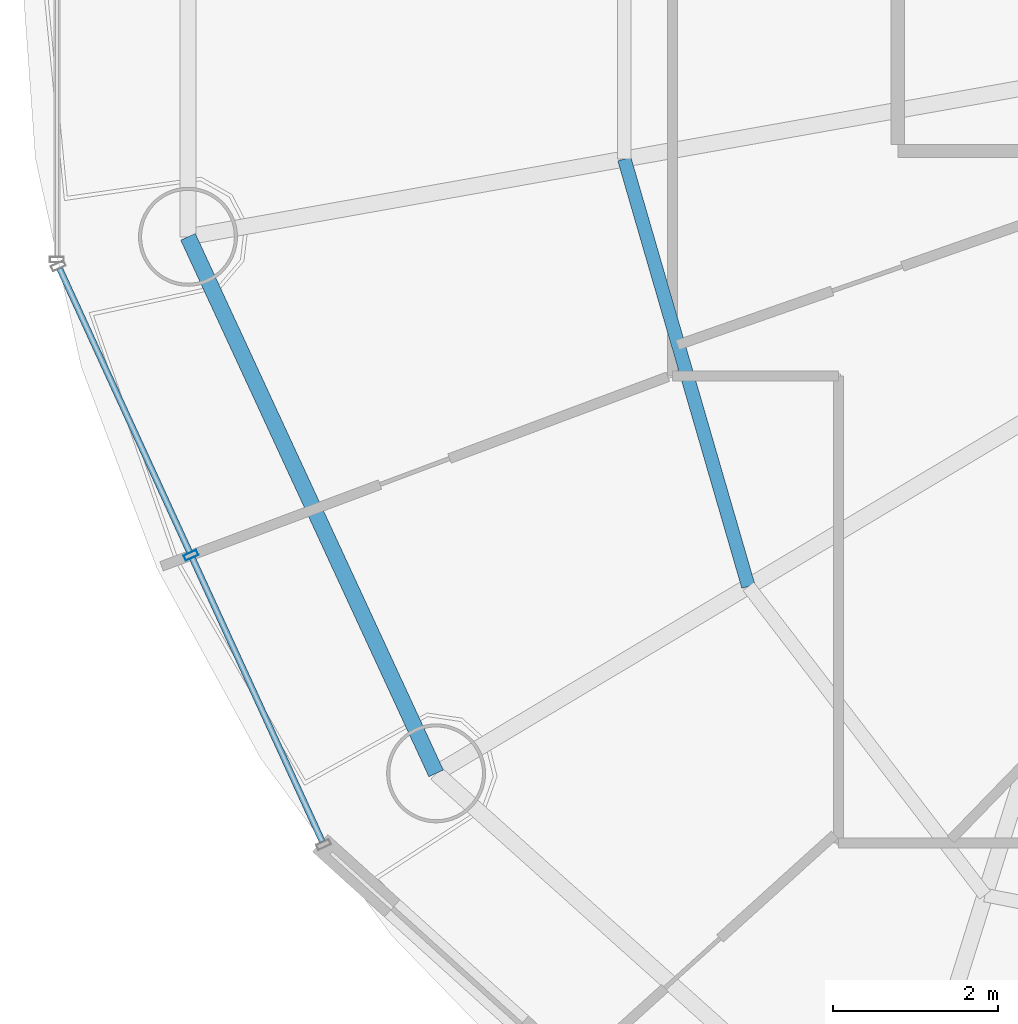
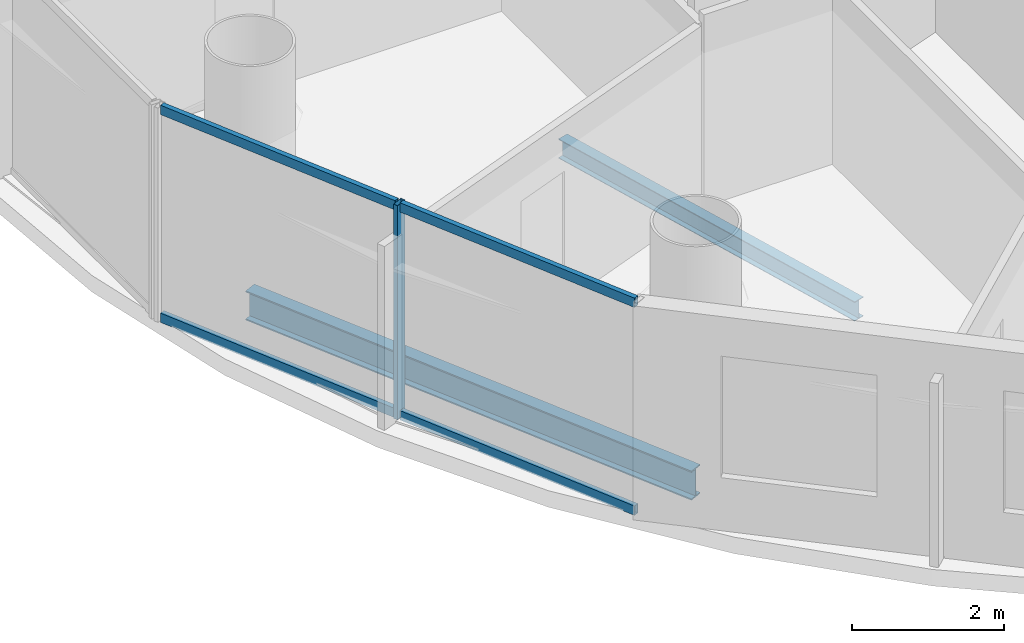
# One storey, part 3 of 26: 5 members, 2 beams, 1 element without a shape of its own.
"""IFC4 building model written with IfcOpenShell, lengths in metres."""

from ifc_helpers import new_model, si_unit, direction, frame, origin, origin_2d, place, context, subcontext, project, spatial, hollow_rectangle, i_section, extrude, source, transform, mapped, material, material_profile, profile_set, type_object, element, aggregate, save


model = new_model("IFC4")

# Units and contexts
model_context = context("Model", 3, precision=1e-05, world=origin(), true_north=direction((-0.2419218956, 0.970295726276)))
body_context = subcontext(model_context, "Body", "Model", "MODEL_VIEW")
ifc_project = project(units=[si_unit("LENGTHUNIT", "METRE"), si_unit("AREAUNIT", "SQUARE_METRE"), si_unit("VOLUMEUNIT", "CUBIC_METRE"), si_unit("PLANEANGLEUNIT", "RADIAN"), si_unit("MASSUNIT", "GRAM", prefix="KILO")], contexts=[model_context])

# Site, building, storey
site_placement = place(None, origin())
site = spatial("IfcSite", under=ifc_project, at=site_placement, CompositionType="ELEMENT")
building_placement = place(site_placement, origin())
building = spatial("IfcBuilding", under=site, at=building_placement, Name="Cobrevalo Terracotta Tower", CompositionType="ELEMENT")
storey_placement = place(building_placement, frame((0.0, 0.0, 228.199951171875)))
storey = spatial("IfcBuildingStorey", under=building, at=storey_placement, Name="L60", CompositionType="ELEMENT", Elevation=228.199951171875)

# Beams
ifc_material_1 = material(Name="Steel S355", Category="steel")
ifc_material_profile_1 = material_profile(ifc_material_1, i_section(OverallWidth=0.1650390625, OverallDepth=0.31005859375, WebThickness=0.005859375, FlangeThickness=0.009765625, at=origin_2d()), Name="W 310x38.7")
ifc_profile_set_1 = profile_set([ifc_material_profile_1], Name="Steel S355")
beam_type_1 = type_object("IfcBeamType", Name="Structural Joist W 310x38.7 (Steel S355)", PredefinedType="JOIST", material=ifc_profile_set_1)
beam_1_placement = place(storey_placement, frame((23.528564453125, 24.221435546875, -0.419921875), z_axis=(0.278757705995, -0.960361463902, 0.0), x_axis=(0.960361463902, 0.278757705995, 0.0)))
element("IfcBeam", 1, at=beam_1_placement, inside=storey, type_object=beam_type_1, Name="L60 circumferential secondary floor joist 09", PredefinedType="JOIST", context=body_context, shape_type="SweptSolid", body=[
    extrude(i_section(OverallWidth=0.1650390625, OverallDepth=0.31005859375, WebThickness=0.005859375, FlangeThickness=0.009765625, at=origin_2d()), origin(), (0.0, 0.0, 1.0), 5.396728515625),
])
ifc_material_profile_2 = material_profile(ifc_material_1, i_section(OverallWidth=0.194091796875, OverallDepth=0.468994140625, WebThickness=0.011474609375, FlangeThickness=0.0205078125, at=origin_2d()), Name="W 460x106")
ifc_profile_set_2 = profile_set([ifc_material_profile_2], Name="Steel S355")
beam_type_2 = type_object("IfcBeamType", Name="Structural Spandrel W 460x106 (Steel S355)", PredefinedType="SPANDREL", material=ifc_profile_set_2)
beam_2_placement = place(storey_placement, frame((18.237060546875, 23.278564453125, -0.49951171875), z_axis=(0.419718939129, -0.90765412583, 0.0), x_axis=(0.90765412583, 0.419718939129, 0.0)))
element("IfcBeam", 2, at=beam_2_placement, inside=storey, type_object=beam_type_2, Name="L60 perimeter ring spandrel 09", PredefinedType="SPANDREL", context=body_context, shape_type="SweptSolid", body=[
    extrude(i_section(OverallWidth=0.194091796875, OverallDepth=0.468994140625, WebThickness=0.011474609375, FlangeThickness=0.0205078125, at=origin_2d()), origin(), (0.0, 0.0, 1.0), 7.168701171875),
])

# Curtain wall, members
ifc_material_2 = material(Name="Anodized aluminium", Category="aluminium")
curtain_wall_type = type_object("IfcCurtainWallType", Name="Mid-tower high-wind unitised curtain wall CW-U2", PredefinedType="NOTDEFINED", material=ifc_material_2)
curtain_wall_placement = place(storey_placement, origin())
curtain_wall = element("IfcCurtainWall", 3, at=curtain_wall_placement, inside=storey, type_object=curtain_wall_type, Name="L60 curtain wall CW-L60-S09", PredefinedType="NOTDEFINED")
ifc_material_profile_3 = material_profile(ifc_material_2, hollow_rectangle(XDim=0.074951171875, YDim=0.14990234375, WallThickness=0.00439453125, at=origin_2d()), Name="CWT 75x150")
ifc_profile_set_3 = profile_set([ifc_material_profile_3], Name="Anodized aluminium")
member_type_1 = type_object("IfcMemberType", Name="Tower unitised aluminium transom 75x150", PredefinedType="USERDEFINED", material=ifc_profile_set_3)
shared_shape_1 = source(origin(), body_context, "Body", "SweptSolid", [
    extrude(hollow_rectangle(XDim=0.074951171875, YDim=0.14990234375, WallThickness=0.00439453125, at=origin_2d()), origin(), (0.0, 0.0, 1.0), 3.780029296875),
])
member_1_placement = place(storey_placement, frame((16.681640625, 22.889892578125, 0.050048828125), z_axis=(0.416705859352, -0.909041377926, 0.0), x_axis=(0.909041377926, 0.416705859352, 0.0)))
member_1 = element("IfcMember", 4, at=member_1_placement, type_object=member_type_1, Name="CW-L60-S09 transom B01-T1", ObjectType="TRANSOM", PredefinedType="USERDEFINED", context=body_context, shape_type="MappedRepresentation", body=[
    mapped(shared_shape_1, transform((0.0, 0.0, 0.0), scale=1.0)),
])
member_2_placement = place(storey_placement, frame((16.681640625, 22.889892578125, 3.385009765625), z_axis=(0.416705859352, -0.909041377926, 0.0), x_axis=(0.909041377926, 0.416705859352, 0.0)))
member_2 = element("IfcMember", 5, at=member_2_placement, type_object=member_type_1, Name="CW-L60-S09 transom B01-T2", ObjectType="TRANSOM", PredefinedType="USERDEFINED", context=body_context, shape_type="MappedRepresentation", body=[
    mapped(shared_shape_1, transform((0.0, 0.0, 0.0), scale=1.0)),
])
member_3_placement = place(storey_placement, frame((18.290283203125, 19.380859375, 0.050048828125), z_axis=(0.416705859352, -0.909041377926, 0.0), x_axis=(0.909041377926, 0.416705859352, 0.0)))
member_3 = element("IfcMember", 6, at=member_3_placement, type_object=member_type_1, Name="CW-L60-S09 transom B02-T1", ObjectType="TRANSOM", PredefinedType="USERDEFINED", context=body_context, shape_type="MappedRepresentation", body=[
    mapped(shared_shape_1, transform((0.0, 0.0, 0.0), scale=1.0)),
])
member_4_placement = place(storey_placement, frame((18.290283203125, 19.380859375, 3.385009765625), z_axis=(0.416705859352, -0.909041377926, 0.0), x_axis=(0.909041377926, 0.416705859352, 0.0)))
member_4 = element("IfcMember", 7, at=member_4_placement, type_object=member_type_1, Name="CW-L60-S09 transom B02-T2", ObjectType="TRANSOM", PredefinedType="USERDEFINED", context=body_context, shape_type="MappedRepresentation", body=[
    mapped(shared_shape_1, transform((0.0, 0.0, 0.0), scale=1.0)),
])
ifc_material_profile_4 = material_profile(ifc_material_2, hollow_rectangle(XDim=0.070068359375, YDim=0.169921875, WallThickness=0.00439453125, at=origin_2d()), Name="CWM 70x170")
ifc_profile_set_4 = profile_set([ifc_material_profile_4], Name="Anodized aluminium")
member_type_2 = type_object("IfcMemberType", Name="Upper tower unitised mullion 70x170", PredefinedType="MULLION", material=ifc_profile_set_4)
shared_shape_2 = source(origin(), body_context, "Body", "SweptSolid", [
    extrude(hollow_rectangle(XDim=0.070068359375, YDim=0.169921875, WallThickness=0.00439453125, at=origin_2d()), origin(), (0.0, 0.0, 1.0), 3.43505859375),
])
member_5_placement = place(storey_placement, frame((18.273681640625, 19.417236328125, 0.0), z_axis=(0.0, 0.0, 1.0), x_axis=(0.41672507912, -0.909032567311, 0.0)))
member_5 = element("IfcMember", 8, at=member_5_placement, type_object=member_type_2, Name="CW-L60-S09 vertical mullion 02", PredefinedType="MULLION", context=body_context, shape_type="MappedRepresentation", body=[
    mapped(shared_shape_2, transform((0.0, 0.0, 0.0), scale=1.0)),
])
aggregate(curtain_wall, [member_5, member_1, member_2, member_3, member_4])

save(model, "model.ifc")
